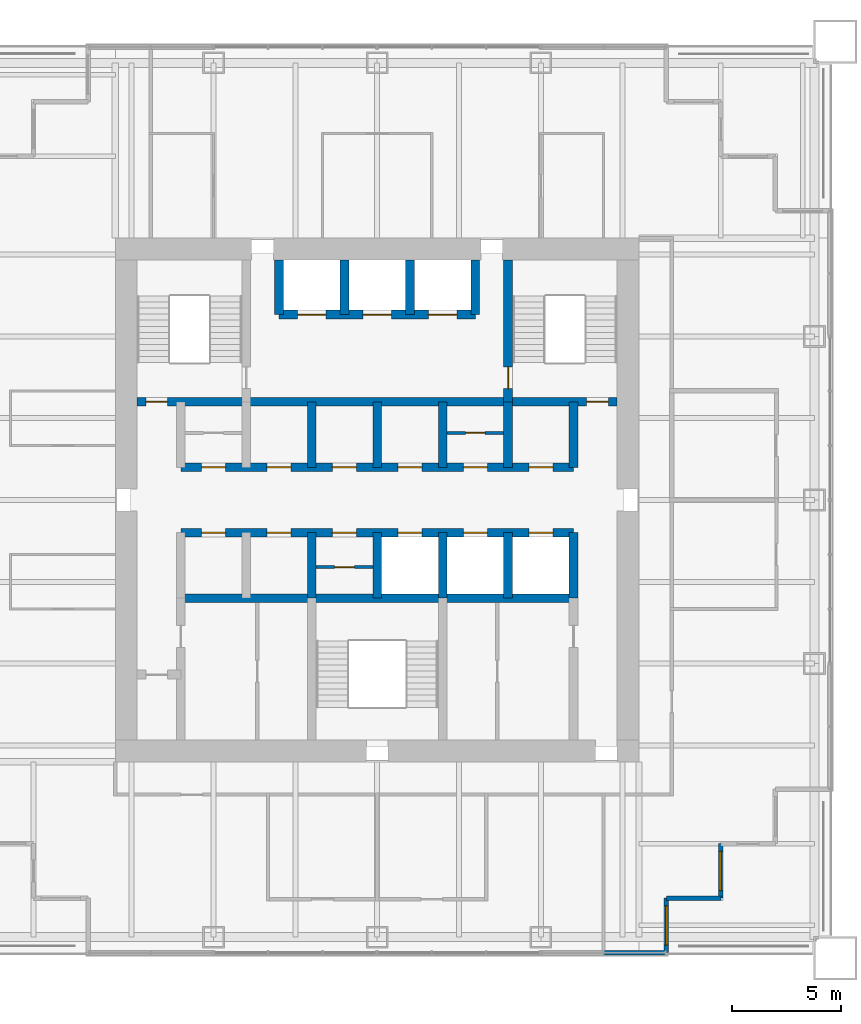
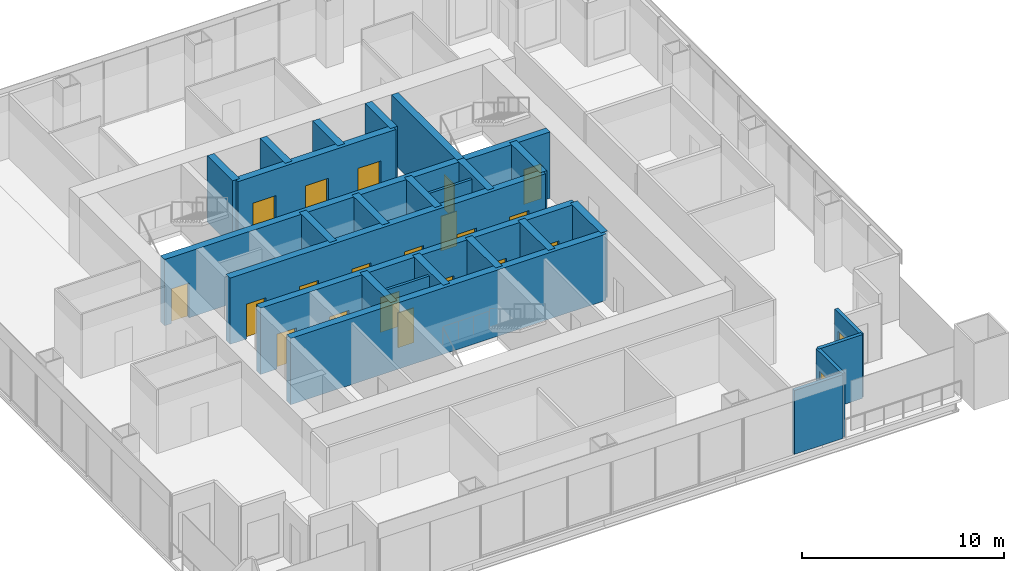
# One storey, part 10 of 14: 26 walls, 20 doors, 2 windows, 22 openings.
"""IFC4 building model written with IfcOpenShell, lengths in metres."""

from ifc_helpers import new_model, si_unit, direction, frame, frame_2d, origin, place, context, subcontext, project, spatial, rectangle, extrude, material, layer, layer_set, type_object, element, fill, save


model = new_model("IFC4")

# Units and contexts
model_context = context("Model", 3, precision=1e-05, world=origin(), true_north=direction((0.0, 1.0)))
body_context = subcontext(model_context, "Body", "Model", "MODEL_VIEW")
ifc_project = project(units=[si_unit("LENGTHUNIT", "METRE"), si_unit("AREAUNIT", "SQUARE_METRE"), si_unit("VOLUMEUNIT", "CUBIC_METRE"), si_unit("PLANEANGLEUNIT", "RADIAN"), si_unit("MASSUNIT", "GRAM", prefix="KILO")], contexts=[model_context])

# Site, building, storey
site_placement = place(None, origin())
site = spatial("IfcSite", under=ifc_project, at=site_placement, CompositionType="ELEMENT")
building_placement = place(site_placement, origin())
building = spatial("IfcBuilding", under=site, at=building_placement, Name="Tarangal Relay Tower", CompositionType="ELEMENT")
storey_placement = place(building_placement, frame((0.0, 0.0, 287.89990234375)))
storey = spatial("IfcBuildingStorey", under=building, at=storey_placement, Name="L63", CompositionType="ELEMENT", Elevation=287.89990234375)

# Wall, openings, doors
ifc_material_1 = material(Name="Concrete fc' 60 MPa", Category="concrete")
ifc_layer_1 = layer(ifc_material_1, 0.39990234375)
ifc_layer_set_1 = layer_set([ifc_layer_1], Name="Core inner wall 400")
wall_type_1 = type_object("IfcWallType", Name="Core inner wall 400", PredefinedType="SHEAR", material=ifc_layer_set_1)
wall_1_placement = place(storey_placement, frame((-11.0, 4.5, 0.0), z_axis=(0.0, 0.0, 1.0), x_axis=(1.0, 0.0, 0.0)))
wall_1 = element("IfcWall", 1, at=wall_1_placement, inside=storey, type_object=wall_type_1, Name="Core wall Y45 L63", PredefinedType="SHEAR", context=body_context, shape_type="SweptSolid", body=[
    extrude(rectangle(XDim=22.0, YDim=0.39990234375, at=frame_2d((11.0, 0.0))), origin(), (0.0, 0.0, 1.0), 4.0),
])
opening_1_placement = place(wall_1_placement, frame((0.39990234375, 0.0, 0.0)))
opening_1 = element("IfcOpeningElement", 2, at=opening_1_placement, cuts=wall_1, Name="Opening FD1", PredefinedType="OPENING", context=body_context, shape_type="SweptSolid", body=[
    extrude(rectangle(XDim=1.0, YDim=2.10009765625, at=frame_2d((0.5, 1.050048828125))), frame((0.0, 0.2099609375, 0.0), z_axis=(0.0, -1.0, 0.0), x_axis=(1.0, 0.0, 0.0)), (0.0, 0.0, 1.0), 0.419921875),
])
opening_2_placement = place(wall_1_placement, frame((20.60009765625, 0.0, 0.0)))
opening_2 = element("IfcOpeningElement", 3, at=opening_2_placement, cuts=wall_1, Name="Opening FD1", PredefinedType="OPENING", context=body_context, shape_type="SweptSolid", body=[
    extrude(rectangle(XDim=1.0, YDim=2.10009765625, at=frame_2d((0.5, 1.050048828125))), frame((0.0, 0.2099609375, 0.0), z_axis=(0.0, -1.0, 0.0), x_axis=(1.0, 0.0, 0.0)), (0.0, 0.0, 1.0), 0.419921875),
])
ifc_material_2 = material(Name="Steel door with hardwood frame", Category="steel")
door_type_1 = type_object("IfcDoorType", Name="Fire door 1000 x 2100", OperationType="SINGLE_SWING_LEFT", PredefinedType="DOOR", material=ifc_material_2)
door_1_placement = place(opening_1_placement, origin())
door_1 = element("IfcDoor", 4, at=door_1_placement, inside=storey, type_object=door_type_1, Name="Stair ST-A door from corridor L63", OperationType="SINGLE_SWING_LEFT", OverallHeight=2.10009765625, OverallWidth=1.0, PredefinedType="DOOR", context=body_context, shape_type="SweptSolid", body=[
    extrude(rectangle(XDim=1.0, YDim=2.10009765625, at=frame_2d((0.5, 1.050048828125))), frame((0.0, 0.02490234375, 0.0), z_axis=(0.0, -1.0, 0.0), x_axis=(1.0, 0.0, 0.0)), (0.0, 0.0, 1.0), 0.050048828125),
])
fill(opening_1, door_1)
door_2_placement = place(opening_2_placement, origin())
door_2 = element("IfcDoor", 5, at=door_2_placement, inside=storey, type_object=door_type_1, Name="Stair ST-B door from corridor L63", OperationType="SINGLE_SWING_LEFT", OverallHeight=2.10009765625, OverallWidth=1.0, PredefinedType="DOOR", context=body_context, shape_type="SweptSolid", body=[
    extrude(rectangle(XDim=1.0, YDim=2.10009765625, at=frame_2d((0.5, 1.050048828125))), frame((0.0, 0.02490234375, 0.0), z_axis=(0.0, -1.0, 0.0), x_axis=(1.0, 0.0, 0.0)), (0.0, 0.0, 1.0), 0.050048828125),
])
fill(opening_2, door_2)

wall_2_placement = place(storey_placement, frame((-9.0, 1.5, 0.0), z_axis=(0.0, 0.0, 1.0), x_axis=(1.0, 0.0, 0.0)))
wall_2 = element("IfcWall", 6, at=wall_2_placement, inside=storey, type_object=wall_type_1, Name="Core wall Y15 L63", PredefinedType="SHEAR", context=body_context, shape_type="SweptSolid", body=[
    extrude(rectangle(XDim=18.0, YDim=0.39990234375, at=frame_2d((9.0, 0.0))), origin(), (0.0, 0.0, 1.0), 4.0),
])
opening_3_placement = place(wall_2_placement, frame((0.949951171875, 0.0, 0.0)))
opening_3 = element("IfcOpeningElement", 7, at=opening_3_placement, cuts=wall_2, Name="Opening D4", PredefinedType="OPENING", context=body_context, shape_type="SweptSolid", body=[
    extrude(rectangle(XDim=1.10009765625, YDim=2.10009765625, at=frame_2d((0.550048828125, 1.050048828125))), frame((0.0, 0.2099609375, 0.0), z_axis=(0.0, -1.0, 0.0), x_axis=(1.0, 0.0, 0.0)), (0.0, 0.0, 1.0), 0.419921875),
])
opening_4_placement = place(wall_2_placement, frame((3.949951171875, 0.0, 0.0)))
opening_4 = element("IfcOpeningElement", 8, at=opening_4_placement, cuts=wall_2, Name="Opening D4", PredefinedType="OPENING", context=body_context, shape_type="SweptSolid", body=[
    extrude(rectangle(XDim=1.10009765625, YDim=2.10009765625, at=frame_2d((0.550048828125, 1.050048828125))), frame((0.0, 0.2099609375, 0.0), z_axis=(0.0, -1.0, 0.0), x_axis=(1.0, 0.0, 0.0)), (0.0, 0.0, 1.0), 0.419921875),
])
opening_5_placement = place(wall_2_placement, frame((6.949951171875, 0.0, 0.0)))
opening_5 = element("IfcOpeningElement", 9, at=opening_5_placement, cuts=wall_2, Name="Opening D4", PredefinedType="OPENING", context=body_context, shape_type="SweptSolid", body=[
    extrude(rectangle(XDim=1.10009765625, YDim=2.10009765625, at=frame_2d((0.550048828125, 1.050048828125))), frame((0.0, 0.2099609375, 0.0), z_axis=(0.0, -1.0, 0.0), x_axis=(1.0, 0.0, 0.0)), (0.0, 0.0, 1.0), 0.419921875),
])
opening_6_placement = place(wall_2_placement, frame((9.949951171875, 0.0, 0.0)))
opening_6 = element("IfcOpeningElement", 10, at=opening_6_placement, cuts=wall_2, Name="Opening D4", PredefinedType="OPENING", context=body_context, shape_type="SweptSolid", body=[
    extrude(rectangle(XDim=1.10009765625, YDim=2.10009765625, at=frame_2d((0.550048828125, 1.050048828125))), frame((0.0, 0.2099609375, 0.0), z_axis=(0.0, -1.0, 0.0), x_axis=(1.0, 0.0, 0.0)), (0.0, 0.0, 1.0), 0.419921875),
])
opening_7_placement = place(wall_2_placement, frame((12.949951171875, 0.0, 0.0)))
opening_7 = element("IfcOpeningElement", 11, at=opening_7_placement, cuts=wall_2, Name="Opening D4", PredefinedType="OPENING", context=body_context, shape_type="SweptSolid", body=[
    extrude(rectangle(XDim=1.10009765625, YDim=2.10009765625, at=frame_2d((0.550048828125, 1.050048828125))), frame((0.0, 0.2099609375, 0.0), z_axis=(0.0, -1.0, 0.0), x_axis=(1.0, 0.0, 0.0)), (0.0, 0.0, 1.0), 0.419921875),
])
opening_8_placement = place(wall_2_placement, frame((15.949951171875, 0.0, 0.0)))
opening_8 = element("IfcOpeningElement", 12, at=opening_8_placement, cuts=wall_2, Name="Opening D4", PredefinedType="OPENING", context=body_context, shape_type="SweptSolid", body=[
    extrude(rectangle(XDim=1.10009765625, YDim=2.10009765625, at=frame_2d((0.550048828125, 1.050048828125))), frame((0.0, 0.2099609375, 0.0), z_axis=(0.0, -1.0, 0.0), x_axis=(1.0, 0.0, 0.0)), (0.0, 0.0, 1.0), 0.419921875),
])
door_type_2 = type_object("IfcDoorType", Name="Core room door 1100 x 2100", OperationType="SINGLE_SWING_RIGHT", PredefinedType="DOOR", material=ifc_material_2)
door_3_placement = place(opening_3_placement, origin())
door_3 = element("IfcDoor", 13, at=door_3_placement, inside=storey, type_object=door_type_2, Name="Door D4 to staff pantry L63-D1", OperationType="SINGLE_SWING_RIGHT", OverallHeight=2.10009765625, OverallWidth=1.10009765625, PredefinedType="DOOR", context=body_context, shape_type="SweptSolid", body=[
    extrude(rectangle(XDim=1.10009765625, YDim=2.10009765625, at=frame_2d((0.550048828125, 1.050048828125))), frame((0.0, 0.02490234375, 0.0), z_axis=(0.0, -1.0, 0.0), x_axis=(1.0, 0.0, 0.0)), (0.0, 0.0, 1.0), 0.050048828125),
])
fill(opening_3, door_3)
door_4_placement = place(opening_4_placement, origin())
door_4 = element("IfcDoor", 14, at=door_4_placement, inside=storey, type_object=door_type_2, Name="Door D4 to it room L63-D2", OperationType="SINGLE_SWING_RIGHT", OverallHeight=2.10009765625, OverallWidth=1.10009765625, PredefinedType="DOOR", context=body_context, shape_type="SweptSolid", body=[
    extrude(rectangle(XDim=1.10009765625, YDim=2.10009765625, at=frame_2d((0.550048828125, 1.050048828125))), frame((0.0, 0.02490234375, 0.0), z_axis=(0.0, -1.0, 0.0), x_axis=(1.0, 0.0, 0.0)), (0.0, 0.0, 1.0), 0.050048828125),
])
fill(opening_4, door_4)
door_5_placement = place(opening_5_placement, origin())
door_5 = element("IfcDoor", 15, at=door_5_placement, inside=storey, type_object=door_type_2, Name="Door D4 to cleaner's store L63-D3", OperationType="SINGLE_SWING_RIGHT", OverallHeight=2.10009765625, OverallWidth=1.10009765625, PredefinedType="DOOR", context=body_context, shape_type="SweptSolid", body=[
    extrude(rectangle(XDim=1.10009765625, YDim=2.10009765625, at=frame_2d((0.550048828125, 1.050048828125))), frame((0.0, 0.02490234375, 0.0), z_axis=(0.0, -1.0, 0.0), x_axis=(1.0, 0.0, 0.0)), (0.0, 0.0, 1.0), 0.050048828125),
])
fill(opening_5, door_5)
door_6_placement = place(opening_6_placement, origin())
door_6 = element("IfcDoor", 16, at=door_6_placement, inside=storey, type_object=door_type_2, Name="Door D4 to staff wc L63-T1", OperationType="SINGLE_SWING_RIGHT", OverallHeight=2.10009765625, OverallWidth=1.10009765625, PredefinedType="DOOR", context=body_context, shape_type="SweptSolid", body=[
    extrude(rectangle(XDim=1.10009765625, YDim=2.10009765625, at=frame_2d((0.550048828125, 1.050048828125))), frame((0.0, 0.02490234375, 0.0), z_axis=(0.0, -1.0, 0.0), x_axis=(1.0, 0.0, 0.0)), (0.0, 0.0, 1.0), 0.050048828125),
])
fill(opening_6, door_6)
door_7_placement = place(opening_7_placement, origin())
door_7 = element("IfcDoor", 17, at=door_7_placement, inside=storey, type_object=door_type_2, Name="Door D4 to staff pantry L63-T2", OperationType="SINGLE_SWING_RIGHT", OverallHeight=2.10009765625, OverallWidth=1.10009765625, PredefinedType="DOOR", context=body_context, shape_type="SweptSolid", body=[
    extrude(rectangle(XDim=1.10009765625, YDim=2.10009765625, at=frame_2d((0.550048828125, 1.050048828125))), frame((0.0, 0.02490234375, 0.0), z_axis=(0.0, -1.0, 0.0), x_axis=(1.0, 0.0, 0.0)), (0.0, 0.0, 1.0), 0.050048828125),
])
fill(opening_7, door_7)
door_8_placement = place(opening_8_placement, origin())
door_8 = element("IfcDoor", 18, at=door_8_placement, inside=storey, type_object=door_type_2, Name="Door D4 to it room L63-T3", OperationType="SINGLE_SWING_RIGHT", OverallHeight=2.10009765625, OverallWidth=1.10009765625, PredefinedType="DOOR", context=body_context, shape_type="SweptSolid", body=[
    extrude(rectangle(XDim=1.10009765625, YDim=2.10009765625, at=frame_2d((0.550048828125, 1.050048828125))), frame((0.0, 0.02490234375, 0.0), z_axis=(0.0, -1.0, 0.0), x_axis=(1.0, 0.0, 0.0)), (0.0, 0.0, 1.0), 0.050048828125),
])
fill(opening_8, door_8)

wall_3_placement = place(storey_placement, frame((-9.0, -1.5, 0.0), z_axis=(0.0, 0.0, 1.0), x_axis=(1.0, 0.0, 0.0)))
wall_3 = element("IfcWall", 19, at=wall_3_placement, inside=storey, type_object=wall_type_1, Name="Core wall YM15 L63", PredefinedType="SHEAR", context=body_context, shape_type="SweptSolid", body=[
    extrude(rectangle(XDim=18.0, YDim=0.39990234375, at=frame_2d((9.0, 0.0))), origin(), (0.0, 0.0, 1.0), 4.0),
])
opening_9_placement = place(wall_3_placement, frame((9.949951171875, 0.0, 0.0)))
opening_9 = element("IfcOpeningElement", 20, at=opening_9_placement, cuts=wall_3, Name="Opening LD1", PredefinedType="OPENING", context=body_context, shape_type="SweptSolid", body=[
    extrude(rectangle(XDim=1.10009765625, YDim=2.10009765625, at=frame_2d((0.550048828125, 1.050048828125))), frame((0.0, 0.2099609375, 0.0), z_axis=(0.0, -1.0, 0.0), x_axis=(1.0, 0.0, 0.0)), (0.0, 0.0, 1.0), 0.419921875),
])
opening_10_placement = place(wall_3_placement, frame((12.949951171875, 0.0, 0.0)))
opening_10 = element("IfcOpeningElement", 21, at=opening_10_placement, cuts=wall_3, Name="Opening LD1", PredefinedType="OPENING", context=body_context, shape_type="SweptSolid", body=[
    extrude(rectangle(XDim=1.10009765625, YDim=2.10009765625, at=frame_2d((0.550048828125, 1.050048828125))), frame((0.0, 0.2099609375, 0.0), z_axis=(0.0, -1.0, 0.0), x_axis=(1.0, 0.0, 0.0)), (0.0, 0.0, 1.0), 0.419921875),
])
opening_11_placement = place(wall_3_placement, frame((15.949951171875, 0.0, 0.0)))
opening_11 = element("IfcOpeningElement", 22, at=opening_11_placement, cuts=wall_3, Name="Opening LD1", PredefinedType="OPENING", context=body_context, shape_type="SweptSolid", body=[
    extrude(rectangle(XDim=1.10009765625, YDim=2.10009765625, at=frame_2d((0.550048828125, 1.050048828125))), frame((0.0, 0.2099609375, 0.0), z_axis=(0.0, -1.0, 0.0), x_axis=(1.0, 0.0, 0.0)), (0.0, 0.0, 1.0), 0.419921875),
])
opening_12_placement = place(wall_3_placement, frame((0.949951171875, 0.0, 0.0)))
opening_12 = element("IfcOpeningElement", 23, at=opening_12_placement, cuts=wall_3, Name="Opening D4", PredefinedType="OPENING", context=body_context, shape_type="SweptSolid", body=[
    extrude(rectangle(XDim=1.10009765625, YDim=2.10009765625, at=frame_2d((0.550048828125, 1.050048828125))), frame((0.0, 0.2099609375, 0.0), z_axis=(0.0, -1.0, 0.0), x_axis=(1.0, 0.0, 0.0)), (0.0, 0.0, 1.0), 0.419921875),
])
opening_13_placement = place(wall_3_placement, frame((3.949951171875, 0.0, 0.0)))
opening_13 = element("IfcOpeningElement", 24, at=opening_13_placement, cuts=wall_3, Name="Opening D4", PredefinedType="OPENING", context=body_context, shape_type="SweptSolid", body=[
    extrude(rectangle(XDim=1.10009765625, YDim=2.10009765625, at=frame_2d((0.550048828125, 1.050048828125))), frame((0.0, 0.2099609375, 0.0), z_axis=(0.0, -1.0, 0.0), x_axis=(1.0, 0.0, 0.0)), (0.0, 0.0, 1.0), 0.419921875),
])
opening_14_placement = place(wall_3_placement, frame((6.949951171875, 0.0, 0.0)))
opening_14 = element("IfcOpeningElement", 25, at=opening_14_placement, cuts=wall_3, Name="Opening D4", PredefinedType="OPENING", context=body_context, shape_type="SweptSolid", body=[
    extrude(rectangle(XDim=1.10009765625, YDim=2.10009765625, at=frame_2d((0.550048828125, 1.050048828125))), frame((0.0, 0.2099609375, 0.0), z_axis=(0.0, -1.0, 0.0), x_axis=(1.0, 0.0, 0.0)), (0.0, 0.0, 1.0), 0.419921875),
])
door_9_placement = place(opening_12_placement, origin())
door_9 = element("IfcDoor", 26, at=door_9_placement, inside=storey, type_object=door_type_2, Name="Door D4 to cleaner's store L63-S1", OperationType="SINGLE_SWING_RIGHT", OverallHeight=2.10009765625, OverallWidth=1.10009765625, PredefinedType="DOOR", context=body_context, shape_type="SweptSolid", body=[
    extrude(rectangle(XDim=1.10009765625, YDim=2.10009765625, at=frame_2d((0.550048828125, 1.050048828125))), frame((0.0, 0.02490234375, 0.0), z_axis=(0.0, -1.0, 0.0), x_axis=(1.0, 0.0, 0.0)), (0.0, 0.0, 1.0), 0.050048828125),
])
fill(opening_12, door_9)
door_10_placement = place(opening_13_placement, origin())
door_10 = element("IfcDoor", 27, at=door_10_placement, inside=storey, type_object=door_type_2, Name="Door D4 to staff wc L63-S2", OperationType="SINGLE_SWING_RIGHT", OverallHeight=2.10009765625, OverallWidth=1.10009765625, PredefinedType="DOOR", context=body_context, shape_type="SweptSolid", body=[
    extrude(rectangle(XDim=1.10009765625, YDim=2.10009765625, at=frame_2d((0.550048828125, 1.050048828125))), frame((0.0, 0.02490234375, 0.0), z_axis=(0.0, -1.0, 0.0), x_axis=(1.0, 0.0, 0.0)), (0.0, 0.0, 1.0), 0.050048828125),
])
fill(opening_13, door_10)
door_11_placement = place(opening_14_placement, origin())
door_11 = element("IfcDoor", 28, at=door_11_placement, inside=storey, type_object=door_type_2, Name="Door D4 to staff pantry L63-S3", OperationType="SINGLE_SWING_RIGHT", OverallHeight=2.10009765625, OverallWidth=1.10009765625, PredefinedType="DOOR", context=body_context, shape_type="SweptSolid", body=[
    extrude(rectangle(XDim=1.10009765625, YDim=2.10009765625, at=frame_2d((0.550048828125, 1.050048828125))), frame((0.0, 0.02490234375, 0.0), z_axis=(0.0, -1.0, 0.0), x_axis=(1.0, 0.0, 0.0)), (0.0, 0.0, 1.0), 0.050048828125),
])
fill(opening_14, door_11)
door_type_3 = type_object("IfcDoorType", Name="Lift landing door 1100 x 2100", OperationType="SLIDING_TO_LEFT", PredefinedType="DOOR", material=ifc_material_2)
door_12_placement = place(opening_9_placement, origin())
door_12 = element("IfcDoor", 29, at=door_12_placement, inside=storey, type_object=door_type_3, Name="Lift OH1 landing door L63", OperationType="SLIDING_TO_LEFT", OverallHeight=2.10009765625, OverallWidth=1.10009765625, PredefinedType="DOOR", context=body_context, shape_type="SweptSolid", body=[
    extrude(rectangle(XDim=1.10009765625, YDim=2.10009765625, at=frame_2d((0.550048828125, 1.050048828125))), frame((0.0, 0.02490234375, 0.0), z_axis=(0.0, -1.0, 0.0), x_axis=(1.0, 0.0, 0.0)), (0.0, 0.0, 1.0), 0.050048828125),
])
fill(opening_9, door_12)
door_13_placement = place(opening_10_placement, origin())
door_13 = element("IfcDoor", 30, at=door_13_placement, inside=storey, type_object=door_type_3, Name="Lift OH2 landing door L63", OperationType="SLIDING_TO_LEFT", OverallHeight=2.10009765625, OverallWidth=1.10009765625, PredefinedType="DOOR", context=body_context, shape_type="SweptSolid", body=[
    extrude(rectangle(XDim=1.10009765625, YDim=2.10009765625, at=frame_2d((0.550048828125, 1.050048828125))), frame((0.0, 0.02490234375, 0.0), z_axis=(0.0, -1.0, 0.0), x_axis=(1.0, 0.0, 0.0)), (0.0, 0.0, 1.0), 0.050048828125),
])
fill(opening_10, door_13)
door_14_placement = place(opening_11_placement, origin())
door_14 = element("IfcDoor", 31, at=door_14_placement, inside=storey, type_object=door_type_3, Name="Lift OH3 landing door L63", OperationType="SLIDING_TO_LEFT", OverallHeight=2.10009765625, OverallWidth=1.10009765625, PredefinedType="DOOR", context=body_context, shape_type="SweptSolid", body=[
    extrude(rectangle(XDim=1.10009765625, YDim=2.10009765625, at=frame_2d((0.550048828125, 1.050048828125))), frame((0.0, 0.02490234375, 0.0), z_axis=(0.0, -1.0, 0.0), x_axis=(1.0, 0.0, 0.0)), (0.0, 0.0, 1.0), 0.050048828125),
])
fill(opening_11, door_14)

# Wall
wall_4_placement = place(storey_placement, frame((-9.0, -4.5, 0.0), z_axis=(0.0, 0.0, 1.0), x_axis=(1.0, 0.0, 0.0)))
element("IfcWall", 32, at=wall_4_placement, inside=storey, type_object=wall_type_1, Name="Core wall YM45 L63", PredefinedType="SHEAR", context=body_context, shape_type="SweptSolid", body=[
    extrude(rectangle(XDim=18.0, YDim=0.39990234375, at=frame_2d((9.0, 0.0))), origin(), (0.0, 0.0, 1.0), 4.0),
])

# Wall, openings, doors
wall_5_placement = place(storey_placement, frame((-4.5, 8.5, 0.0), z_axis=(0.0, 0.0, 1.0), x_axis=(1.0, 0.0, 0.0)))
wall_5 = element("IfcWall", 33, at=wall_5_placement, inside=storey, type_object=wall_type_1, Name="Core wall Y85 L63", PredefinedType="SHEAR", context=body_context, shape_type="SweptSolid", body=[
    extrude(rectangle(XDim=9.0, YDim=0.39990234375, at=frame_2d((4.5, 0.0))), origin(), (0.0, 0.0, 1.0), 4.0),
])
opening_15_placement = place(wall_5_placement, frame((0.85009765625, 0.0, 0.0)))
opening_15 = element("IfcOpeningElement", 34, at=opening_15_placement, cuts=wall_5, Name="Opening LD2", PredefinedType="OPENING", context=body_context, shape_type="SweptSolid", body=[
    extrude(rectangle(XDim=1.300048828125, YDim=2.39990234375, at=frame_2d((0.64990234375, 1.199951171875))), frame((0.0, 0.2099609375, 0.0), z_axis=(0.0, -1.0, 0.0), x_axis=(1.0, 0.0, 0.0)), (0.0, 0.0, 1.0), 0.419921875),
])
opening_16_placement = place(wall_5_placement, frame((6.85009765625, 0.0, 0.0)))
opening_16 = element("IfcOpeningElement", 35, at=opening_16_placement, cuts=wall_5, Name="Opening LD2", PredefinedType="OPENING", context=body_context, shape_type="SweptSolid", body=[
    extrude(rectangle(XDim=1.300048828125, YDim=2.39990234375, at=frame_2d((0.64990234375, 1.199951171875))), frame((0.0, 0.2099609375, 0.0), z_axis=(0.0, -1.0, 0.0), x_axis=(1.0, 0.0, 0.0)), (0.0, 0.0, 1.0), 0.419921875),
])
opening_17_placement = place(wall_5_placement, frame((3.85009765625, 0.0, 0.0)))
opening_17 = element("IfcOpeningElement", 36, at=opening_17_placement, cuts=wall_5, Name="Opening LD2", PredefinedType="OPENING", context=body_context, shape_type="SweptSolid", body=[
    extrude(rectangle(XDim=1.300048828125, YDim=2.39990234375, at=frame_2d((0.64990234375, 1.199951171875))), frame((0.0, 0.2099609375, 0.0), z_axis=(0.0, -1.0, 0.0), x_axis=(1.0, 0.0, 0.0)), (0.0, 0.0, 1.0), 0.419921875),
])
door_type_4 = type_object("IfcDoorType", Name="Lift landing door 1300 x 2400", OperationType="SLIDING_TO_LEFT", PredefinedType="DOOR", material=ifc_material_2)
door_15_placement = place(opening_15_placement, origin())
door_15 = element("IfcDoor", 37, at=door_15_placement, inside=storey, type_object=door_type_4, Name="Lift FF1 landing door L63", OperationType="SLIDING_TO_LEFT", OverallHeight=2.39990234375, OverallWidth=1.300048828125, PredefinedType="DOOR", context=body_context, shape_type="SweptSolid", body=[
    extrude(rectangle(XDim=1.300048828125, YDim=2.39990234375, at=frame_2d((0.64990234375, 1.199951171875))), frame((0.0, 0.02490234375, 0.0), z_axis=(0.0, -1.0, 0.0), x_axis=(1.0, 0.0, 0.0)), (0.0, 0.0, 1.0), 0.050048828125),
])
fill(opening_15, door_15)
door_16_placement = place(opening_16_placement, origin())
door_16 = element("IfcDoor", 38, at=door_16_placement, inside=storey, type_object=door_type_4, Name="Lift FF2 landing door L63", OperationType="SLIDING_TO_LEFT", OverallHeight=2.39990234375, OverallWidth=1.300048828125, PredefinedType="DOOR", context=body_context, shape_type="SweptSolid", body=[
    extrude(rectangle(XDim=1.300048828125, YDim=2.39990234375, at=frame_2d((0.64990234375, 1.199951171875))), frame((0.0, 0.02490234375, 0.0), z_axis=(0.0, -1.0, 0.0), x_axis=(1.0, 0.0, 0.0)), (0.0, 0.0, 1.0), 0.050048828125),
])
fill(opening_16, door_16)
door_17_placement = place(opening_17_placement, origin())
door_17 = element("IfcDoor", 39, at=door_17_placement, inside=storey, type_object=door_type_4, Name="Lift SV1 landing door L63", OperationType="SLIDING_TO_LEFT", OverallHeight=2.39990234375, OverallWidth=1.300048828125, PredefinedType="DOOR", context=body_context, shape_type="SweptSolid", body=[
    extrude(rectangle(XDim=1.300048828125, YDim=2.39990234375, at=frame_2d((0.64990234375, 1.199951171875))), frame((0.0, 0.02490234375, 0.0), z_axis=(0.0, -1.0, 0.0), x_axis=(1.0, 0.0, 0.0)), (0.0, 0.0, 1.0), 0.050048828125),
])
fill(opening_17, door_17)

# Walls
for number, where, z_axis, x_axis, name in (
    (40, (9.0, 1.5, 0.0), (0.0, 0.0, 1.0), (0.0, 1.0, 0.0), "Core wall X9N L63"),
    (41, (9.0, -4.5, 0.0), (0.0, 0.0, 1.0), (0.0, 1.0, 0.0), "Core wall X9S L63"),
    (42, (-3.0, 1.5, 0.0), (0.0, 0.0, 1.0), (0.0, 1.0, 0.0), "Core wall XM3N L63"),
    (43, (0.0, 1.5, 0.0), (0.0, 0.0, 1.0), (0.0, 1.0, 0.0), "Core wall X0N L63"),
    (44, (3.0, 1.5, 0.0), (0.0, 0.0, 1.0), (0.0, 1.0, 0.0), "Core wall X3N L63"),
    (45, (6.0, 1.5, 0.0), (0.0, 0.0, 1.0), (0.0, 1.0, 0.0), "Core wall X6N L63"),
    (46, (-3.0, -4.5, 0.0), (0.0, 0.0, 1.0), (0.0, 1.0, 0.0), "Core wall XM3S L63"),
    (47, (0.0, -4.5, 0.0), (0.0, 0.0, 1.0), (0.0, 1.0, 0.0), "Core wall X0S L63"),
    (48, (3.0, -4.5, 0.0), (0.0, 0.0, 1.0), (0.0, 1.0, 0.0), "Core wall X3S L63"),
    (49, (6.0, -4.5, 0.0), (0.0, 0.0, 1.0), (0.0, 1.0, 0.0), "Core wall X6S L63"),
):
    element("IfcWall", number, at=place(storey_placement, frame(where, z_axis=z_axis, x_axis=x_axis)), inside=storey, type_object=wall_type_1, Name=name, PredefinedType="SHEAR", context=body_context, shape_type="SweptSolid", body=[
        extrude(rectangle(XDim=3.0, YDim=0.39990234375, at=frame_2d((1.5, 0.0))), origin(), (0.0, 0.0, 1.0), 4.0),
    ])

# Wall, opening, door
wall_6_placement = place(storey_placement, frame((6.0, 4.5, 0.0), z_axis=(0.0, 0.0, 1.0), x_axis=(0.0, 1.0, 0.0)))
wall_6 = element("IfcWall", 50, at=wall_6_placement, inside=storey, type_object=wall_type_1, Name="Core wall X6 L63", PredefinedType="SHEAR", context=body_context, shape_type="SweptSolid", body=[
    extrude(rectangle(XDim=6.5, YDim=0.39990234375, at=frame_2d((3.25, 0.0))), origin(), (0.0, 0.0, 1.0), 4.0),
])
opening_18_placement = place(wall_6_placement, frame((0.60009765625, 0.0, 0.0)))
opening_18 = element("IfcOpeningElement", 51, at=opening_18_placement, cuts=wall_6, Name="Opening FD1", PredefinedType="OPENING", context=body_context, shape_type="SweptSolid", body=[
    extrude(rectangle(XDim=1.0, YDim=2.10009765625, at=frame_2d((0.5, 1.050048828125))), frame((0.0, 0.2099609375, 0.0), z_axis=(0.0, -1.0, 0.0), x_axis=(1.0, 0.0, 0.0)), (0.0, 0.0, 1.0), 0.419921875),
])
door_18_placement = place(opening_18_placement, origin())
door_18 = element("IfcDoor", 52, at=door_18_placement, inside=storey, type_object=door_type_1, Name="Stair ST-B door from fire-fighting lobby L63", OperationType="SINGLE_SWING_LEFT", OverallHeight=2.10009765625, OverallWidth=1.0, PredefinedType="DOOR", context=body_context, shape_type="SweptSolid", body=[
    extrude(rectangle(XDim=1.0, YDim=2.10009765625, at=frame_2d((0.5, 1.050048828125))), frame((0.0, 0.02490234375, 0.0), z_axis=(0.0, -1.0, 0.0), x_axis=(1.0, 0.0, 0.0)), (0.0, 0.0, 1.0), 0.050048828125),
])
fill(opening_18, door_18)

# Walls
for number, where, z_axis, x_axis, name in (
    (53, (-4.5, 8.5, 0.0), (0.0, 0.0, 1.0), (0.0, 1.0, 0.0), "Core wall XM45 L63"),
    (54, (4.5, 8.5, 0.0), (0.0, 0.0, 1.0), (0.0, 1.0, 0.0), "Core wall X45 L63"),
    (55, (-1.5, 8.5, 0.0), (0.0, 0.0, 1.0), (0.0, 1.0, 0.0), "Core wall XM15 L63"),
    (56, (1.5, 8.5, 0.0), (0.0, 0.0, 1.0), (0.0, 1.0, 0.0), "Core wall X15 L63"),
):
    element("IfcWall", number, at=place(storey_placement, frame(where, z_axis=z_axis, x_axis=x_axis)), inside=storey, type_object=wall_type_1, Name=name, PredefinedType="SHEAR", context=body_context, shape_type="SweptSolid", body=[
        extrude(rectangle(XDim=2.5, YDim=0.39990234375, at=frame_2d((1.25, 0.0))), origin(), (0.0, 0.0, 1.0), 4.0),
    ])

# Wall, opening, window
ifc_material_3 = material(Name="Black metal clad insulated wall", Category="steel")
ifc_layer_2 = layer(ifc_material_3, 0.199951171875)
ifc_layer_set_2 = layer_set([ifc_layer_2], Name="Corner wall metal clad 200")
wall_type_2 = type_object("IfcWallType", Name="Corner wall metal clad 200", PredefinedType="SOLIDWALL", material=ifc_layer_set_2)
wall_7_placement = place(storey_placement, frame((15.75, -15.75, 0.0), z_axis=(0.0, 0.0, 1.0), x_axis=(0.0, -1.0, 0.0)))
wall_7 = element("IfcWall", 57, at=wall_7_placement, inside=storey, type_object=wall_type_2, Name="Facade wall E facade L63", PredefinedType="SOLIDWALL", context=body_context, shape_type="SweptSolid", body=[
    extrude(rectangle(XDim=2.5, YDim=0.199951171875, at=frame_2d((1.25, 0.0))), origin(), (0.0, 0.0, 1.0), 3.85009765625),
])
opening_19_placement = place(wall_7_placement, frame((0.35009765625, 0.0, 0.300048828125)))
opening_19 = element("IfcOpeningElement", 58, at=opening_19_placement, cuts=wall_7, Name="Opening WN2", PredefinedType="OPENING", context=body_context, shape_type="SweptSolid", body=[
    extrude(rectangle(XDim=1.800048828125, YDim=2.39990234375, at=frame_2d((0.89990234375, 1.199951171875))), frame((0.0, 0.10986328125, 0.0), z_axis=(0.0, -1.0, 0.0), x_axis=(1.0, 0.0, 0.0)), (0.0, 0.0, 1.0), 0.219970703125),
])
ifc_material_4 = material(Name="Dark tinted double glazing in black aluminium frame", Category="aluminium")
window_type = type_object("IfcWindowType", Name="Corner window 1800 x 2400", PartitioningType="SINGLE_PANEL", PredefinedType="WINDOW", material=ifc_material_4)
window_1_placement = place(opening_19_placement, origin())
window_1 = element("IfcWindow", 59, at=window_1_placement, inside=storey, type_object=window_type, Name="Corner window WN2 E facade L63", OverallHeight=2.39990234375, OverallWidth=1.800048828125, PartitioningType="SINGLE_PANEL", PredefinedType="WINDOW", context=body_context, shape_type="SweptSolid", body=[
    extrude(rectangle(XDim=1.800048828125, YDim=2.39990234375, at=frame_2d((0.89990234375, 1.199951171875))), frame((0.0, 0.030029296875, 0.0), z_axis=(0.0, -1.0, 0.0), x_axis=(1.0, 0.0, 0.0)), (0.0, 0.0, 1.0), 0.06005859375),
])
fill(opening_19, window_1)

# Wall
wall_8_placement = place(storey_placement, frame((15.75, -18.25, 0.0), z_axis=(0.0, 0.0, 1.0), x_axis=(-1.0, 0.0, 0.0)))
element("IfcWall", 60, at=wall_8_placement, inside=storey, type_object=wall_type_2, Name="Facade wall E facade L63", PredefinedType="SOLIDWALL", context=body_context, shape_type="SweptSolid", body=[
    extrude(rectangle(XDim=2.5, YDim=0.199951171875, at=frame_2d((1.25, 0.0))), origin(), (0.0, 0.0, 1.0), 3.85009765625),
])

# Wall, opening, window
wall_9_placement = place(storey_placement, frame((13.25, -18.25, 0.0), z_axis=(0.0, 0.0, 1.0), x_axis=(0.0, -1.0, 0.0)))
wall_9 = element("IfcWall", 61, at=wall_9_placement, inside=storey, type_object=wall_type_2, Name="Facade wall E facade L63", PredefinedType="SOLIDWALL", context=body_context, shape_type="SweptSolid", body=[
    extrude(rectangle(XDim=2.5, YDim=0.199951171875, at=frame_2d((1.25, 0.0))), origin(), (0.0, 0.0, 1.0), 3.85009765625),
])
opening_20_placement = place(wall_9_placement, frame((0.35009765625, 0.0, 0.300048828125)))
opening_20 = element("IfcOpeningElement", 62, at=opening_20_placement, cuts=wall_9, Name="Opening WN2", PredefinedType="OPENING", context=body_context, shape_type="SweptSolid", body=[
    extrude(rectangle(XDim=1.800048828125, YDim=2.39990234375, at=frame_2d((0.89990234375, 1.199951171875))), frame((0.0, 0.10986328125, 0.0), z_axis=(0.0, -1.0, 0.0), x_axis=(1.0, 0.0, 0.0)), (0.0, 0.0, 1.0), 0.219970703125),
])
window_2_placement = place(opening_20_placement, origin())
window_2 = element("IfcWindow", 63, at=window_2_placement, inside=storey, type_object=window_type, Name="Corner window WN2 E facade L63", OverallHeight=2.39990234375, OverallWidth=1.800048828125, PartitioningType="SINGLE_PANEL", PredefinedType="WINDOW", context=body_context, shape_type="SweptSolid", body=[
    extrude(rectangle(XDim=1.800048828125, YDim=2.39990234375, at=frame_2d((0.89990234375, 1.199951171875))), frame((0.0, 0.030029296875, 0.0), z_axis=(0.0, -1.0, 0.0), x_axis=(1.0, 0.0, 0.0)), (0.0, 0.0, 1.0), 0.06005859375),
])
fill(opening_20, window_2)

# Wall
ifc_layer_3 = layer(ifc_material_3, 0.199951171875)
ifc_layer_set_3 = layer_set([ifc_layer_3], Name="Facade infill wall metal clad 200")
wall_type_3 = type_object("IfcWallType", Name="Facade infill wall metal clad 200", PredefinedType="SOLIDWALL", material=ifc_layer_set_3)
wall_10_placement = place(storey_placement, frame((13.18994140625, -20.75, 0.0), z_axis=(0.0, 0.0, 1.0), x_axis=(-1.0, 0.0, 0.0)))
element("IfcWall", 64, at=wall_10_placement, inside=storey, type_object=wall_type_3, Name="Facade infill wall S facade L63 1.1", PredefinedType="SOLIDWALL", context=body_context, shape_type="SweptSolid", body=[
    extrude(rectangle(XDim=2.784912109375, YDim=0.199951171875, at=frame_2d((1.392578125, 0.0))), origin(), (0.0, 0.0, 1.0), 3.85009765625),
])

# Wall, opening, door
ifc_material_5 = material(Name="Gypsum board on steel studs", Category="steel")
ifc_layer_4 = layer(ifc_material_5, 0.14990234375)
ifc_layer_set_4 = layer_set([ifc_layer_4], Name="Partition 150")
wall_type_4 = type_object("IfcWallType", Name="Partition 150", PredefinedType="PARTITIONING", material=ifc_layer_set_4)
wall_11_placement = place(storey_placement, frame((3.199951171875, 3.074951171875, 0.0), z_axis=(0.0, 0.0, 1.0), x_axis=(1.0, 0.0, 0.0)))
wall_11 = element("IfcWall", 65, at=wall_11_placement, inside=storey, type_object=wall_type_4, Name="Partition PT1 L63", PredefinedType="PARTITIONING", context=body_context, shape_type="SweptSolid", body=[
    extrude(rectangle(XDim=2.60009765625, YDim=0.14990234375, at=frame_2d((1.300048828125, 0.0))), origin(), (0.0, 0.0, 1.0), 3.75),
])
opening_21_placement = place(wall_11_placement, frame((0.85009765625, 0.0, 0.0)))
opening_21 = element("IfcOpeningElement", 66, at=opening_21_placement, cuts=wall_11, Name="Opening D5", PredefinedType="OPENING", context=body_context, shape_type="SweptSolid", body=[
    extrude(rectangle(XDim=0.89990234375, YDim=2.10009765625, at=frame_2d((0.449951171875, 1.050048828125))), frame((0.0, 0.0849609375, 0.0), z_axis=(0.0, -1.0, 0.0), x_axis=(1.0, 0.0, 0.0)), (0.0, 0.0, 1.0), 0.169921875),
])
ifc_material_6 = material(Name="Hardwood door", Category="wood")
door_type_5 = type_object("IfcDoorType", Name="Cupboard door 900 x 2100", OperationType="SINGLE_SWING_LEFT", PredefinedType="DOOR", material=ifc_material_6)
door_19_placement = place(opening_21_placement, origin())
door_19 = element("IfcDoor", 67, at=door_19_placement, inside=storey, type_object=door_type_5, Name="Door D5 to pantry cupboard L63-T2B", OperationType="SINGLE_SWING_LEFT", OverallHeight=2.10009765625, OverallWidth=0.89990234375, PredefinedType="DOOR", context=body_context, shape_type="SweptSolid", body=[
    extrude(rectangle(XDim=0.89990234375, YDim=2.10009765625, at=frame_2d((0.449951171875, 1.050048828125))), frame((0.0, 0.02490234375, 0.0), z_axis=(0.0, -1.0, 0.0), x_axis=(1.0, 0.0, 0.0)), (0.0, 0.0, 1.0), 0.050048828125),
])
fill(opening_21, door_19)

wall_12_placement = place(storey_placement, frame((-2.800048828125, -3.074951171875, 0.0), z_axis=(0.0, 0.0, 1.0), x_axis=(1.0, 0.0, 0.0)))
wall_12 = element("IfcWall", 68, at=wall_12_placement, inside=storey, type_object=wall_type_4, Name="Partition PT1 L63", PredefinedType="PARTITIONING", context=body_context, shape_type="SweptSolid", body=[
    extrude(rectangle(XDim=2.60009765625, YDim=0.14990234375, at=frame_2d((1.300048828125, 0.0))), origin(), (0.0, 0.0, 1.0), 3.75),
])
opening_22_placement = place(wall_12_placement, frame((0.85009765625, 0.0, 0.0)))
opening_22 = element("IfcOpeningElement", 69, at=opening_22_placement, cuts=wall_12, Name="Opening D5", PredefinedType="OPENING", context=body_context, shape_type="SweptSolid", body=[
    extrude(rectangle(XDim=0.89990234375, YDim=2.10009765625, at=frame_2d((0.449951171875, 1.050048828125))), frame((0.0, 0.0849609375, 0.0), z_axis=(0.0, -1.0, 0.0), x_axis=(1.0, 0.0, 0.0)), (0.0, 0.0, 1.0), 0.169921875),
])
door_20_placement = place(opening_22_placement, origin())
door_20 = element("IfcDoor", 70, at=door_20_placement, inside=storey, type_object=door_type_5, Name="Door D5 to pantry cupboard L63-S3B", OperationType="SINGLE_SWING_LEFT", OverallHeight=2.10009765625, OverallWidth=0.89990234375, PredefinedType="DOOR", context=body_context, shape_type="SweptSolid", body=[
    extrude(rectangle(XDim=0.89990234375, YDim=2.10009765625, at=frame_2d((0.449951171875, 1.050048828125))), frame((0.0, 0.02490234375, 0.0), z_axis=(0.0, -1.0, 0.0), x_axis=(1.0, 0.0, 0.0)), (0.0, 0.0, 1.0), 0.050048828125),
])
fill(opening_22, door_20)

save(model, "model.ifc")
